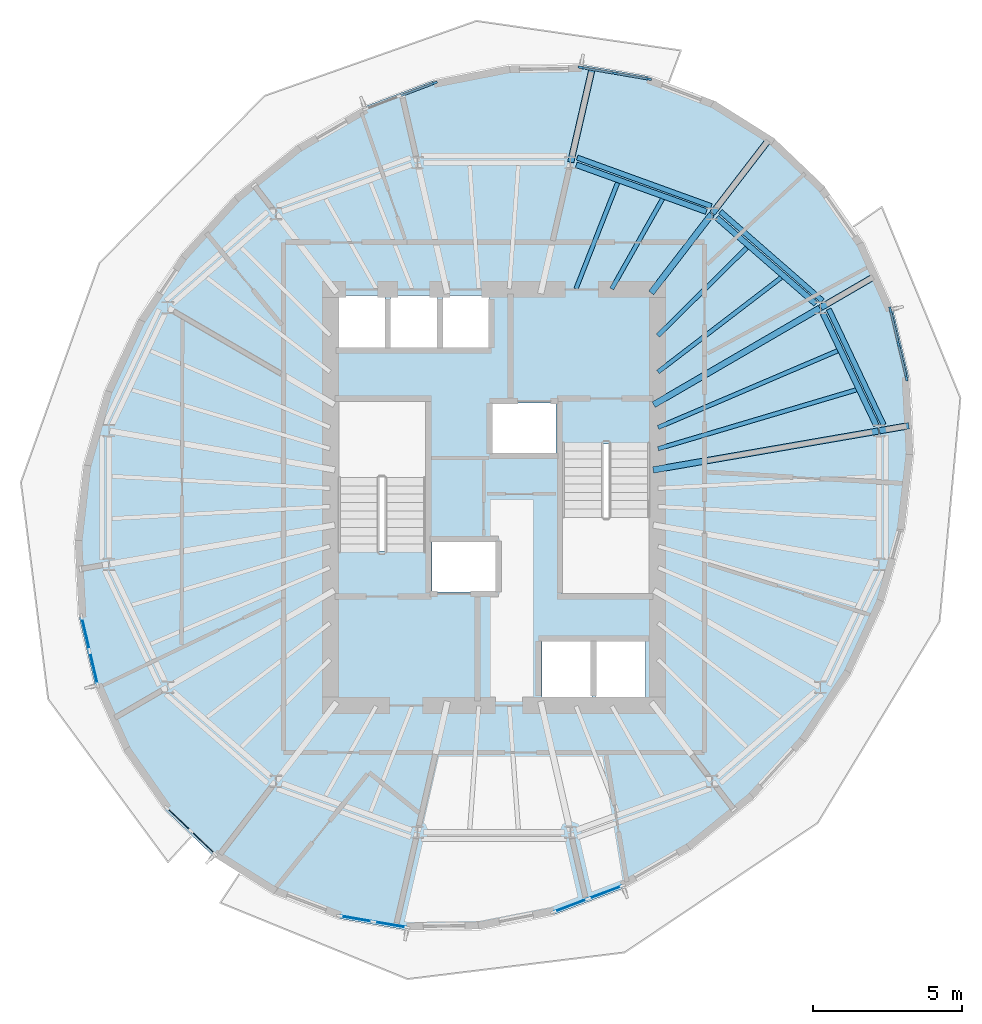
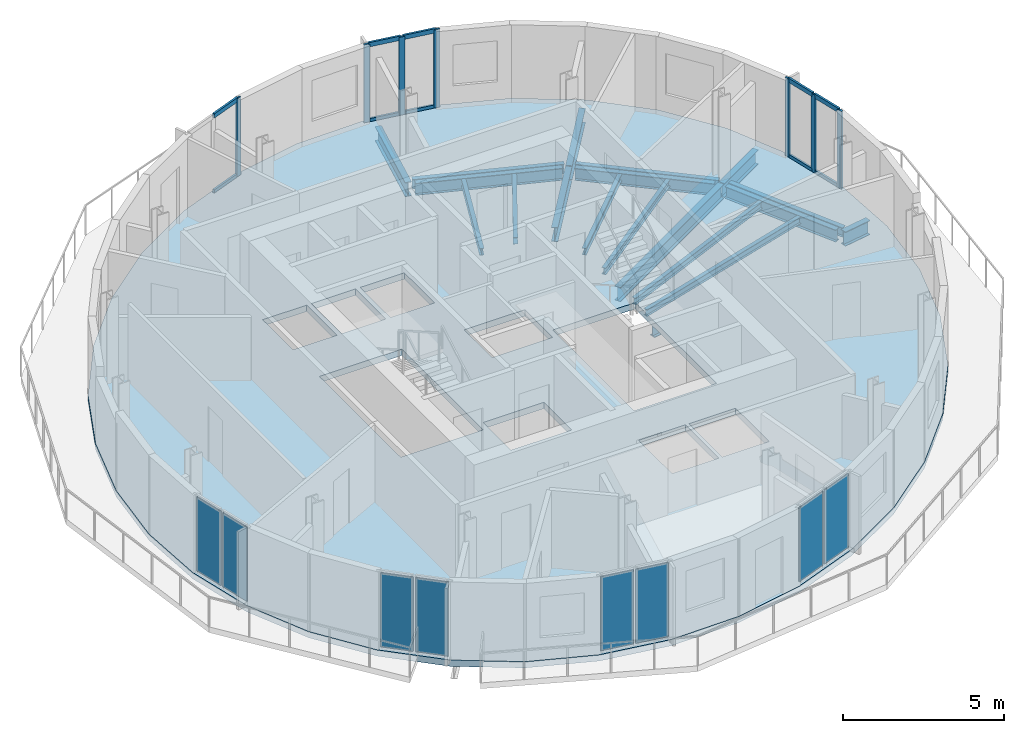
# One storey, part 3 of 11: 19 beams, 17 members, 8 plates, 1 slab, 7 elements without a shape of their own.
"""IFC4 building model written with IfcOpenShell, lengths in metres."""

from ifc_helpers import new_model, si_unit, direction, frame, origin, origin_2d, place, context, subcontext, project, spatial, polyline, rectangle, i_section, outline, extrude, material, layer, layer_set, material_profile, profile_set, type_object, element, aggregate, save


model = new_model("IFC4")

# Units and contexts
model_context = context("Model", 3, precision=1e-05, world=origin(), true_north=direction((0.0, 1.0)))
body_context = subcontext(model_context, "Body", "Model", "MODEL_VIEW")
ifc_project = project(units=[si_unit("LENGTHUNIT", "METRE"), si_unit("AREAUNIT", "SQUARE_METRE"), si_unit("VOLUMEUNIT", "CUBIC_METRE"), si_unit("PLANEANGLEUNIT", "RADIAN"), si_unit("MASSUNIT", "GRAM", prefix="KILO")], contexts=[model_context])

# Site, building, storey
site_placement = place(None, origin())
site = spatial("IfcSite", under=ifc_project, at=site_placement, CompositionType="ELEMENT")
building_placement = place(site_placement, origin())
building = spatial("IfcBuilding", under=site, at=building_placement, Name="Veldorim Arch Residences", CompositionType="ELEMENT")
storey_placement = place(building_placement, frame((0.0, 0.0, 207.840087890625)))
storey = spatial("IfcBuildingStorey", under=building, at=storey_placement, Name="L62", CompositionType="ELEMENT", Elevation=207.840087890625)

# Beams
ifc_material_1 = material(Name="Steel S355", Category="steel")
ifc_material_profile_1 = material_profile(ifc_material_1, i_section(OverallWidth=0.2119140625, OverallDepth=0.54443359375, WebThickness=0.0126953125, FlangeThickness=0.021240234375, at=origin_2d()), Name="UB533x210x122")
ifc_profile_set_1 = profile_set([ifc_material_profile_1], Name="Steel S355")
beam_type_1 = type_object("IfcBeamType", Name="Structural Steel Beam UB533x210x122", PredefinedType="BEAM", material=ifc_profile_set_1)
beam_1_placement = place(storey_placement, frame((37.352294921875, 24.92578125, -0.512451171875), z_axis=(0.985364974081, 0.170457818401, 0.0), x_axis=(-0.170457818401, 0.985364974081, 0.0)))
element("IfcBeam", 1, at=beam_1_placement, inside=storey, type_object=beam_type_1, Name="L62 radial floor girder 01", PredefinedType="BEAM", context=body_context, shape_type="SweptSolid", body=[
    extrude(i_section(OverallWidth=0.2119140625, OverallDepth=0.54443359375, WebThickness=0.0126953125, FlangeThickness=0.021240234375, at=origin_2d()), origin(), (0.0, 0.0, 1.0), 7.68701171875),
])
beam_2_placement = place(storey_placement, frame((44.966064453125, 26.242919921875, -0.512451171875), z_axis=(0.985359962619, 0.170486785611, 0.0), x_axis=(-0.170486785611, 0.985359962619, 0.0)))
element("IfcBeam", 2, at=beam_2_placement, inside=storey, type_object=beam_type_1, Name="L62 radial edge cantilever girder 01", PredefinedType="BEAM", context=body_context, shape_type="SweptSolid", body=[
    extrude(i_section(OverallWidth=0.2119140625, OverallDepth=0.54443359375, WebThickness=0.0126953125, FlangeThickness=0.021240234375, at=origin_2d()), origin(), (0.0, 0.0, 1.0), 1.0009765625),
])
beam_3_placement = place(storey_placement, frame((37.370361328125, 27.12060546875, -0.512451171875), z_axis=(0.864595736304, 0.502468121142, 0.0), x_axis=(-0.502468121142, 0.864595736304, 0.0)))
element("IfcBeam", 3, at=beam_3_placement, inside=storey, type_object=beam_type_1, Name="L62 radial floor girder 02", PredefinedType="BEAM", context=body_context, shape_type="SweptSolid", body=[
    extrude(i_section(OverallWidth=0.2119140625, OverallDepth=0.54443359375, WebThickness=0.0126953125, FlangeThickness=0.021240234375, at=origin_2d()), origin(), (0.0, 0.0, 1.0), 6.462646484375),
])
beam_4_placement = place(storey_placement, frame((42.99267578125, 30.387939453125, -0.512451171875), z_axis=(0.864627264139, 0.502413867351, 0.0), x_axis=(-0.502413867351, 0.864627264139, 0.0)))
element("IfcBeam", 4, at=beam_4_placement, inside=storey, type_object=beam_type_1, Name="L62 radial edge cantilever girder 02", PredefinedType="BEAM", context=body_context, shape_type="SweptSolid", body=[
    extrude(i_section(OverallWidth=0.2119140625, OverallDepth=0.54443359375, WebThickness=0.0126953125, FlangeThickness=0.021240234375, at=origin_2d()), origin(), (0.0, 0.0, 1.0), 2.11572265625),
])
beam_5_placement = place(storey_placement, frame((37.28662109375, 30.881103515625, -0.512451171875), z_axis=(0.609258442308, 0.792971721108, 0.0), x_axis=(-0.792971721108, 0.609258442308, 0.0)))
element("IfcBeam", 5, at=beam_5_placement, inside=storey, type_object=beam_type_1, Name="L62 radial floor girder 03", PredefinedType="BEAM", context=body_context, shape_type="SweptSolid", body=[
    extrude(i_section(OverallWidth=0.2119140625, OverallDepth=0.54443359375, WebThickness=0.0126953125, FlangeThickness=0.021240234375, at=origin_2d()), origin(), (0.0, 0.0, 1.0), 3.339599609375),
])
beam_6_placement = place(storey_placement, frame((39.345703125, 33.561279296875, -0.512451171875), z_axis=(0.609276560014, 0.792957800527, 0.0), x_axis=(-0.792957800527, 0.609276560014, 0.0)))
element("IfcBeam", 6, at=beam_6_placement, inside=storey, type_object=beam_type_1, Name="L62 radial edge cantilever girder 03", PredefinedType="BEAM", context=body_context, shape_type="SweptSolid", body=[
    extrude(i_section(OverallWidth=0.2119140625, OverallDepth=0.54443359375, WebThickness=0.0126953125, FlangeThickness=0.021240234375, at=origin_2d()), origin(), (0.0, 0.0, 1.0), 3.15283203125),
])
beam_7_placement = place(storey_placement, frame((34.57958984375, 35.27880859375, -0.512451171875), z_axis=(0.222999223543, 0.974818622257, 0.0), x_axis=(-0.974818622257, 0.222999223543, 0.0)))
element("IfcBeam", 7, at=beam_7_placement, inside=storey, type_object=beam_type_1, Name="L62 radial edge cantilever girder 04", PredefinedType="BEAM", context=body_context, shape_type="SweptSolid", body=[
    extrude(i_section(OverallWidth=0.2119140625, OverallDepth=0.54443359375, WebThickness=0.0126953125, FlangeThickness=0.021240234375, at=origin_2d()), origin(), (0.0, 0.0, 1.0), 3.1923828125),
])
ifc_material_2 = material(Name="Steel S355", Category="steel")
ifc_material_profile_2 = material_profile(ifc_material_2, i_section(OverallWidth=0.146484375, OverallDepth=0.256103515625, WebThickness=0.00634765625, FlangeThickness=0.010986328125, at=origin_2d()), Name="UB254x146x37")
ifc_profile_set_2 = profile_set([ifc_material_profile_2], Name="Steel S355")
beam_type_2 = type_object("IfcBeamType", Name="Structural Steel Joist UB254x146x37", PredefinedType="JOIST", material=ifc_profile_set_2)
beam_8_placement = place(storey_placement, frame((37.519287109375, 25.639404296875, -0.3681640625), z_axis=(0.958594432792, 0.284774846889, 0.0), x_axis=(-0.284774846889, 0.958594432792, 0.0)))
element("IfcBeam", 8, at=beam_8_placement, inside=storey, type_object=beam_type_2, Name="L62 secondary radial floor joist 01-1", PredefinedType="JOIST", context=body_context, shape_type="SweptSolid", body=[
    extrude(i_section(OverallWidth=0.146484375, OverallDepth=0.256103515625, WebThickness=0.00634765625, FlangeThickness=0.010986328125, at=origin_2d()), origin(), (0.0, 0.0, 1.0), 6.949462890625),
])
beam_9_placement = place(storey_placement, frame((37.518310546875, 26.355712890625, -0.3681640625), z_axis=(0.919725161652, 0.392562895629, 0.0), x_axis=(-0.392562895629, 0.919725161652, 0.0)))
element("IfcBeam", 9, at=beam_9_placement, inside=storey, type_object=beam_type_2, Name="L62 secondary radial floor joist 01-2", PredefinedType="JOIST", context=body_context, shape_type="SweptSolid", body=[
    extrude(i_section(OverallWidth=0.146484375, OverallDepth=0.256103515625, WebThickness=0.00634765625, FlangeThickness=0.010986328125, at=origin_2d()), origin(), (0.0, 0.0, 1.0), 6.5625),
])
beam_10_placement = place(storey_placement, frame((37.515869140625, 28.222900390625, -0.3681640625), z_axis=(0.794013672216, 0.607899899929, 0.0), x_axis=(-0.607899899929, 0.794013672216, 0.0)))
element("IfcBeam", 10, at=beam_10_placement, inside=storey, type_object=beam_type_2, Name="L62 secondary radial floor joist 02-1", PredefinedType="JOIST", context=body_context, shape_type="SweptSolid", body=[
    extrude(i_section(OverallWidth=0.146484375, OverallDepth=0.256103515625, WebThickness=0.00634765625, FlangeThickness=0.010986328125, at=origin_2d()), origin(), (0.0, 0.0, 1.0), 5.217041015625),
])
beam_11_placement = place(storey_placement, frame((37.51416015625, 29.44775390625, -0.3681640625), z_axis=(0.711396725432, 0.702790650937, 0.0), x_axis=(-0.702790650937, 0.711396725432, 0.0)))
element("IfcBeam", 11, at=beam_11_placement, inside=storey, type_object=beam_type_2, Name="L62 secondary radial floor joist 02-2", PredefinedType="JOIST", context=body_context, shape_type="SweptSolid", body=[
    extrude(i_section(OverallWidth=0.146484375, OverallDepth=0.256103515625, WebThickness=0.00634765625, FlangeThickness=0.010986328125, at=origin_2d()), origin(), (0.0, 0.0, 1.0), 4.198486328125),
])
beam_12_placement = place(storey_placement, frame((35.960205078125, 31.017333984375, -0.3681640625), z_axis=(0.491452469585, 0.870904397818, 0.0), x_axis=(-0.870904397818, 0.491452469585, 0.0)))
element("IfcBeam", 12, at=beam_12_placement, inside=storey, type_object=beam_type_2, Name="L62 secondary radial floor joist 03-1", PredefinedType="JOIST", context=body_context, shape_type="SweptSolid", body=[
    extrude(i_section(OverallWidth=0.146484375, OverallDepth=0.256103515625, WebThickness=0.00634765625, FlangeThickness=0.010986328125, at=origin_2d()), origin(), (0.0, 0.0, 1.0), 3.472412109375),
])
beam_13_placement = place(storey_placement, frame((34.75634765625, 31.0185546875, -0.3681640625), z_axis=(0.365581383042, 0.930779379001, 0.0), x_axis=(-0.930779379001, 0.365581383042, 0.0)))
element("IfcBeam", 13, at=beam_13_placement, inside=storey, type_object=beam_type_2, Name="L62 secondary radial floor joist 03-2", PredefinedType="JOIST", context=body_context, shape_type="SweptSolid", body=[
    extrude(i_section(OverallWidth=0.146484375, OverallDepth=0.256103515625, WebThickness=0.00634765625, FlangeThickness=0.010986328125, at=origin_2d()), origin(), (0.0, 0.0, 1.0), 3.83056640625),
])
ifc_material_3 = material(Name="Steel S355", Category="steel")
ifc_material_profile_3 = material_profile(ifc_material_3, i_section(OverallWidth=0.172119140625, OverallDepth=0.35791015625, WebThickness=0.008056640625, FlangeThickness=0.012939453125, at=origin_2d()), Name="UB356x171x57")
ifc_profile_set_3 = profile_set([ifc_material_profile_3], Name="Steel S355")
beam_type_3 = type_object("IfcBeamType", Name="Structural Steel Spandrel UB356x171x57", PredefinedType="SPANDREL", material=ifc_profile_set_3)
beam_14_placement = place(storey_placement, frame((45.106201171875, 26.4423828125, -0.439208984375), z_axis=(-0.428468601304, 0.903556670994, 0.0), x_axis=(-0.903556670994, -0.428468601304, 0.0)))
element("IfcBeam", 14, at=beam_14_placement, inside=storey, type_object=beam_type_3, Name="L62 perimeter chord spandrel beam 01", PredefinedType="SPANDREL", context=body_context, shape_type="SweptSolid", body=[
    extrude(i_section(OverallWidth=0.172119140625, OverallDepth=0.35791015625, WebThickness=0.008056640625, FlangeThickness=0.012939453125, at=origin_2d()), origin(), (0.0, 0.0, 1.0), 4.31005859375),
])
beam_15_placement = place(storey_placement, frame((43.048095703125, 30.6162109375, -0.439208984375), z_axis=(-0.752868439096, 0.658171036596, 0.0), x_axis=(-0.658171036596, -0.752868439096, 0.0)))
element("IfcBeam", 15, at=beam_15_placement, inside=storey, type_object=beam_type_3, Name="L62 perimeter chord spandrel beam 02", PredefinedType="SPANDREL", context=body_context, shape_type="SweptSolid", body=[
    extrude(i_section(OverallWidth=0.172119140625, OverallDepth=0.35791015625, WebThickness=0.008056640625, FlangeThickness=0.012939453125, at=origin_2d()), origin(), (0.0, 0.0, 1.0), 4.560791015625),
])
beam_16_placement = place(storey_placement, frame((39.311279296875, 33.796630859375, -0.439208984375), z_axis=(-0.940178823137, 0.340681347486, 0.0), x_axis=(-0.340681347486, -0.940178823137, 0.0)))
element("IfcBeam", 16, at=beam_16_placement, inside=storey, type_object=beam_type_3, Name="L62 perimeter chord spandrel beam 03", PredefinedType="SPANDREL", context=body_context, shape_type="SweptSolid", body=[
    extrude(i_section(OverallWidth=0.172119140625, OverallDepth=0.35791015625, WebThickness=0.008056640625, FlangeThickness=0.012939453125, at=origin_2d()), origin(), (0.0, 0.0, 1.0), 4.80126953125),
])
ifc_material_4 = material(Name="Steel S355", Category="steel")
ifc_material_profile_4 = material_profile(ifc_material_4, i_section(OverallWidth=0.19140625, OverallDepth=0.4599609375, WebThickness=0.010009765625, FlangeThickness=0.01611328125, at=origin_2d()), Name="UB457x191x82")
ifc_profile_set_4 = profile_set([ifc_material_profile_4], Name="Steel S355")
beam_type_4 = type_object("IfcBeamType", Name="Structural Steel Spandrel UB457x191x82", PredefinedType="SPANDREL", material=ifc_profile_set_4)
beam_17_placement = place(storey_placement, frame((44.85888671875, 26.42333984375, -0.469970703125), z_axis=(-0.429992574394, 0.902832424078, 0.0), x_axis=(-0.902832424078, -0.429992574394, 0.0)))
element("IfcBeam", 17, at=beam_17_placement, inside=storey, type_object=beam_type_4, Name="L62 perimeter ring tie beam 01", PredefinedType="SPANDREL", context=body_context, shape_type="SweptSolid", body=[
    extrude(i_section(OverallWidth=0.19140625, OverallDepth=0.4599609375, WebThickness=0.010009765625, FlangeThickness=0.01611328125, at=origin_2d()), origin(), (0.0, 0.0, 1.0), 4.176513671875),
])
beam_18_placement = place(storey_placement, frame((42.82177734375, 30.511474609375, -0.469970703125), z_axis=(-0.754534162517, 0.656260769508, 0.0), x_axis=(-0.656260769508, -0.754534162517, 0.0)))
element("IfcBeam", 18, at=beam_18_placement, inside=storey, type_object=beam_type_4, Name="L62 perimeter ring tie beam 02", PredefinedType="SPANDREL", context=body_context, shape_type="SweptSolid", body=[
    extrude(i_section(OverallWidth=0.19140625, OverallDepth=0.4599609375, WebThickness=0.010009765625, FlangeThickness=0.01611328125, at=origin_2d()), origin(), (0.0, 0.0, 1.0), 4.419677734375),
])
beam_19_placement = place(storey_placement, frame((39.14208984375, 33.6142578125, -0.469970703125), z_axis=(-0.940819134121, 0.338909068736, 0.0), x_axis=(-0.338909068736, -0.940819134121, 0.0)))
element("IfcBeam", 19, at=beam_19_placement, inside=storey, type_object=beam_type_4, Name="L62 perimeter ring tie beam 03", PredefinedType="SPANDREL", context=body_context, shape_type="SweptSolid", body=[
    extrude(i_section(OverallWidth=0.19140625, OverallDepth=0.4599609375, WebThickness=0.010009765625, FlangeThickness=0.01611328125, at=origin_2d()), origin(), (0.0, 0.0, 1.0), 4.650634765625),
])

# Curtain wall, members
ifc_material_5 = material(Name="Aluminium", Category="aluminium")
curtain_wall_type = type_object("IfcCurtainWallType", Name="Zone 4 High-Altitude Unitised Curtain Wall", PredefinedType="NOTDEFINED", material=ifc_material_5)
curtain_wall_1_placement = place(storey_placement, origin())
curtain_wall_1 = element("IfcCurtainWall", 20, at=curtain_wall_1_placement, inside=storey, type_object=curtain_wall_type, Name="L62 unitised curtain wall bay 03", PredefinedType="NOTDEFINED")
ifc_material_6 = material(Name="Aluminium", Category="aluminium")
ifc_material_profile_5 = material_profile(ifc_material_6, rectangle(XDim=0.074951171875, YDim=0.195068359375, at=origin_2d()), Name="ALU_MUL_75x195")
ifc_profile_set_5 = profile_set([ifc_material_profile_5], Name="Aluminium")
member_type_1 = type_object("IfcMemberType", Name="Zone 4 High-Altitude Unitised Curtain Wall Mullion 75x195", PredefinedType="MULLION", material=ifc_profile_set_5)
member_1_placement = place(storey_placement, frame((34.921630859375, 38.46435546875, 0.0), z_axis=(0.0, 0.0, 1.0), x_axis=(0.168730171812, 0.985662279445, 0.0)))
member_1 = element("IfcMember", 21, at=member_1_placement, type_object=member_type_1, Name="CW-Z4 mullion 1", PredefinedType="MULLION", context=body_context, shape_type="SweptSolid", body=[
    extrude(rectangle(XDim=0.074951171875, YDim=0.195068359375, at=origin_2d()), origin(), (0.0, 0.0, 1.0), 2.9599609375),
])
member_2_placement = place(storey_placement, frame((36.061279296875, 38.26904296875, 0.0), z_axis=(0.0, 0.0, 1.0), x_axis=(0.168730171812, 0.985662279445, 0.0)))
member_2 = element("IfcMember", 22, at=member_2_placement, type_object=member_type_1, Name="CW-Z4 mullion 2", PredefinedType="MULLION", context=body_context, shape_type="SweptSolid", body=[
    extrude(rectangle(XDim=0.074951171875, YDim=0.195068359375, at=origin_2d()), origin(), (0.0, 0.0, 1.0), 2.9599609375),
])
member_3_placement = place(storey_placement, frame((37.201171875, 38.073974609375, 0.0), z_axis=(0.0, 0.0, 1.0), x_axis=(0.168730171812, 0.985662279445, 0.0)))
member_3 = element("IfcMember", 23, at=member_3_placement, type_object=member_type_1, Name="CW-Z4 mullion 3", PredefinedType="MULLION", context=body_context, shape_type="SweptSolid", body=[
    extrude(rectangle(XDim=0.074951171875, YDim=0.195068359375, at=origin_2d()), origin(), (0.0, 0.0, 1.0), 2.9599609375),
])

# Curtain wall, member
curtain_wall_2_placement = place(storey_placement, origin())
curtain_wall_2 = element("IfcCurtainWall", 24, at=curtain_wall_2_placement, inside=storey, type_object=curtain_wall_type, Name="L62 unitised curtain wall bay 06", PredefinedType="NOTDEFINED")
member_4_placement = place(storey_placement, frame((29.999267578125, 37.941650390625, 0.0), z_axis=(0.0, 0.0, 1.0), x_axis=(-0.354241032275, 0.935154153631, 0.0)))
member_4 = element("IfcMember", 25, at=member_4_placement, type_object=member_type_1, Name="CW-Z4 mullion 3", PredefinedType="MULLION", context=body_context, shape_type="SweptSolid", body=[
    extrude(rectangle(XDim=0.074951171875, YDim=0.195068359375, at=origin_2d()), origin(), (0.0, 0.0, 1.0), 2.9599609375),
])

# Curtain wall, members
curtain_wall_3_placement = place(storey_placement, origin())
curtain_wall_3 = element("IfcCurtainWall", 26, at=curtain_wall_3_placement, inside=storey, type_object=curtain_wall_type, Name="L62 unitised curtain wall bay 33", PredefinedType="NOTDEFINED")
member_5_placement = place(storey_placement, frame((45.32861328125, 30.31640625, 0.0), z_axis=(0.0, 0.0, 1.0), x_axis=(0.973448307703, 0.228906951032, 0.0)))
member_5 = element("IfcMember", 27, at=member_5_placement, type_object=member_type_1, Name="CW-Z4 mullion 1", PredefinedType="MULLION", context=body_context, shape_type="SweptSolid", body=[
    extrude(rectangle(XDim=0.074951171875, YDim=0.195068359375, at=origin_2d()), origin(), (0.0, 0.0, 1.0), 2.9599609375),
])
member_6_placement = place(storey_placement, frame((45.599609375, 29.164306640625, 0.0), z_axis=(0.0, 0.0, 1.0), x_axis=(0.973448307703, 0.228906951032, 0.0)))
member_6 = element("IfcMember", 28, at=member_6_placement, type_object=member_type_1, Name="CW-Z4 mullion 2", PredefinedType="MULLION", context=body_context, shape_type="SweptSolid", body=[
    extrude(rectangle(XDim=0.074951171875, YDim=0.195068359375, at=origin_2d()), origin(), (0.0, 0.0, 1.0), 2.9599609375),
])
member_7_placement = place(storey_placement, frame((45.870361328125, 28.01220703125, 0.0), z_axis=(0.0, 0.0, 1.0), x_axis=(0.973448307703, 0.228906951032, 0.0)))
member_7 = element("IfcMember", 29, at=member_7_placement, type_object=member_type_1, Name="CW-Z4 mullion 3", PredefinedType="MULLION", context=body_context, shape_type="SweptSolid", body=[
    extrude(rectangle(XDim=0.074951171875, YDim=0.195068359375, at=origin_2d()), origin(), (0.0, 0.0, 1.0), 2.9599609375),
])

# Member
ifc_material_7 = material(Name="Aluminium", Category="aluminium")
ifc_material_profile_6 = material_profile(ifc_material_7, rectangle(XDim=0.074951171875, YDim=0.1650390625, at=origin_2d()), Name="ALU_TRN_75x165")
ifc_profile_set_6 = profile_set([ifc_material_profile_6], Name="Aluminium")
member_type_2 = type_object("IfcMemberType", Name="Zone 4 High-Altitude Unitised Curtain Wall Transom 75x165", PredefinedType="USERDEFINED", material=ifc_profile_set_6)
member_8_placement = place(storey_placement, frame((34.95849609375, 38.4580078125, 0.037353515625), z_axis=(0.985639436335, -0.168863558951, 0.0), x_axis=(0.168863558951, 0.985639436335, 0.0)))
member_8 = element("IfcMember", 30, at=member_8_placement, type_object=member_type_2, Name="CW-Z4 transom 1.1", ObjectType="TRANSOM", PredefinedType="USERDEFINED", context=body_context, shape_type="SweptSolid", body=[
    extrude(rectangle(XDim=0.074951171875, YDim=0.1650390625, at=origin_2d()), origin(), (0.0, 0.0, 1.0), 1.08154296875),
])

member_9_placement = place(storey_placement, frame((34.95849609375, 38.4580078125, 2.92236328125), z_axis=(0.985639436335, -0.168863558951, 0.0), x_axis=(0.168863558951, 0.985639436335, 0.0)))
member_9 = element("IfcMember", 31, at=member_9_placement, type_object=member_type_2, Name="CW-Z4 transom 1.2", ObjectType="TRANSOM", PredefinedType="USERDEFINED", context=body_context, shape_type="SweptSolid", body=[
    extrude(rectangle(XDim=0.074951171875, YDim=0.1650390625, at=origin_2d()), origin(), (0.0, 0.0, 1.0), 1.08154296875),
])

member_10_placement = place(storey_placement, frame((36.098388671875, 38.262939453125, 0.037353515625), z_axis=(0.985639436335, -0.168863558951, 0.0), x_axis=(0.168863558951, 0.985639436335, 0.0)))
member_10 = element("IfcMember", 32, at=member_10_placement, type_object=member_type_2, Name="CW-Z4 transom 2.1", ObjectType="TRANSOM", PredefinedType="USERDEFINED", context=body_context, shape_type="SweptSolid", body=[
    extrude(rectangle(XDim=0.074951171875, YDim=0.1650390625, at=origin_2d()), origin(), (0.0, 0.0, 1.0), 1.08154296875),
])

member_11_placement = place(storey_placement, frame((36.098388671875, 38.262939453125, 2.92236328125), z_axis=(0.985639436335, -0.168863558951, 0.0), x_axis=(0.168863558951, 0.985639436335, 0.0)))
member_11 = element("IfcMember", 33, at=member_11_placement, type_object=member_type_2, Name="CW-Z4 transom 2.2", ObjectType="TRANSOM", PredefinedType="USERDEFINED", context=body_context, shape_type="SweptSolid", body=[
    extrude(rectangle(XDim=0.074951171875, YDim=0.1650390625, at=origin_2d()), origin(), (0.0, 0.0, 1.0), 1.08154296875),
])

aggregate(curtain_wall_1, [member_1, member_2, member_3, member_8, member_9, member_10, member_11])

member_12_placement = place(storey_placement, frame((28.8720703125, 37.5146484375, 0.037353515625), z_axis=(0.935138462301, 0.354282452749, 0.0), x_axis=(-0.354282452749, 0.935138462301, 0.0)))
member_12 = element("IfcMember", 34, at=member_12_placement, type_object=member_type_2, Name="CW-Z4 transom 2.1", ObjectType="TRANSOM", PredefinedType="USERDEFINED", context=body_context, shape_type="SweptSolid", body=[
    extrude(rectangle(XDim=0.074951171875, YDim=0.1650390625, at=origin_2d()), origin(), (0.0, 0.0, 1.0), 1.16796875),
])

member_13_placement = place(storey_placement, frame((28.8720703125, 37.5146484375, 2.92236328125), z_axis=(0.935138462301, 0.354282452749, 0.0), x_axis=(-0.354282452749, 0.935138462301, 0.0)))
member_13 = element("IfcMember", 35, at=member_13_placement, type_object=member_type_2, Name="CW-Z4 transom 2.2", ObjectType="TRANSOM", PredefinedType="USERDEFINED", context=body_context, shape_type="SweptSolid", body=[
    extrude(rectangle(XDim=0.074951171875, YDim=0.1650390625, at=origin_2d()), origin(), (0.0, 0.0, 1.0), 1.16796875),
])

aggregate(curtain_wall_2, [member_4, member_12, member_13])

member_14_placement = place(storey_placement, frame((45.337158203125, 30.27978515625, 0.037353515625), z_axis=(0.228830640868, -0.973466248927, 0.0), x_axis=(0.973466248927, 0.228830640868, 0.0)))
member_14 = element("IfcMember", 36, at=member_14_placement, type_object=member_type_2, Name="CW-Z4 transom 1.1", ObjectType="TRANSOM", PredefinedType="USERDEFINED", context=body_context, shape_type="SweptSolid", body=[
    extrude(rectangle(XDim=0.074951171875, YDim=0.1650390625, at=origin_2d()), origin(), (0.0, 0.0, 1.0), 1.1083984375),
])

member_15_placement = place(storey_placement, frame((45.337158203125, 30.27978515625, 2.92236328125), z_axis=(0.228830640868, -0.973466248927, 0.0), x_axis=(0.973466248927, 0.228830640868, 0.0)))
member_15 = element("IfcMember", 37, at=member_15_placement, type_object=member_type_2, Name="CW-Z4 transom 1.2", ObjectType="TRANSOM", PredefinedType="USERDEFINED", context=body_context, shape_type="SweptSolid", body=[
    extrude(rectangle(XDim=0.074951171875, YDim=0.1650390625, at=origin_2d()), origin(), (0.0, 0.0, 1.0), 1.1083984375),
])

member_16_placement = place(storey_placement, frame((45.608154296875, 29.127685546875, 0.037353515625), z_axis=(0.228830640868, -0.973466248927, 0.0), x_axis=(0.973466248927, 0.228830640868, 0.0)))
member_16 = element("IfcMember", 38, at=member_16_placement, type_object=member_type_2, Name="CW-Z4 transom 2.1", ObjectType="TRANSOM", PredefinedType="USERDEFINED", context=body_context, shape_type="SweptSolid", body=[
    extrude(rectangle(XDim=0.074951171875, YDim=0.1650390625, at=origin_2d()), origin(), (0.0, 0.0, 1.0), 1.1083984375),
])

member_17_placement = place(storey_placement, frame((45.608154296875, 29.127685546875, 2.92236328125), z_axis=(0.228830640868, -0.973466248927, 0.0), x_axis=(0.973466248927, 0.228830640868, 0.0)))
member_17 = element("IfcMember", 39, at=member_17_placement, type_object=member_type_2, Name="CW-Z4 transom 2.2", ObjectType="TRANSOM", PredefinedType="USERDEFINED", context=body_context, shape_type="SweptSolid", body=[
    extrude(rectangle(XDim=0.074951171875, YDim=0.1650390625, at=origin_2d()), origin(), (0.0, 0.0, 1.0), 1.1083984375),
])

aggregate(curtain_wall_3, [member_5, member_6, member_7, member_14, member_15, member_16, member_17])

# Slab
ifc_material_8 = material(Name="Concrete C40/50", Category="concrete")
ifc_layer_1 = layer(ifc_material_8, 0.239990234375, Name="Typical Residential Floor Slab 240")
ifc_layer_set_1 = layer_set([ifc_layer_1], Name="Concrete C40/50")
slab_type = type_object("IfcSlabType", Name="Typical Residential Floor Slab 240", PredefinedType="FLOOR", material=ifc_layer_set_1)
slab_placement = place(storey_placement, frame((0.0, 0.0, -0.239990234375)))
element("IfcSlab", 40, at=slab_placement, inside=storey, type_object=slab_type, Name="L62 tower structural floor slab", PredefinedType="FLOOR", context=body_context, shape_type="SweptSolid", body=[
    extrude(outline(polyline([(41.4150390625, 36.08544921875), (39.447509765625, 37.323486328125), (37.25341796875, 38.156494140625), (34.89990234375, 38.559326171875), (32.4580078125, 38.519775390625), (30.00244140625, 38.039306640625), (27.607666015625, 37.132080078125), (25.34619140625, 35.82568359375), (23.286865234375, 34.16015625), (21.4921875, 32.185791015625), (20.01708984375, 29.962890625), (18.90576171875, 27.558837890625), (18.1923828125, 25.04638671875), (17.898681640625, 22.50244140625), (18.033447265625, 20.00390625), (18.59228515625, 17.626708984375), (19.558837890625, 15.443115234375), (20.9033203125, 13.51953125), (22.5849609375, 11.91455078125), (24.552490234375, 10.676513671875), (26.74658203125, 9.843505859375), (29.10009765625, 9.440673828125), (31.5419921875, 9.480224609375), (33.99755859375, 9.960693359375), (36.392333984375, 10.867919921875), (38.65380859375, 12.17431640625), (40.713134765625, 13.83984375), (42.5078125, 15.814208984375), (43.98291015625, 18.037109375), (45.09423828125, 20.441162109375), (45.8076171875, 22.95361328125), (46.101318359375, 25.49755859375), (45.966552734375, 27.99609375), (45.40771484375, 30.373291015625), (44.441162109375, 32.556884765625), (43.0966796875, 34.48046875), (41.4150390625, 36.08544921875)]), holes=[polyline([(33.610107421875, 17.2099609375), (33.610107421875, 19.2900390625), (35.2900390625, 19.2900390625), (35.2900390625, 17.2099609375), (33.610107421875, 17.2099609375)]), polyline([(35.409912109375, 17.2099609375), (35.409912109375, 19.2900390625), (37.090087890625, 19.2900390625), (37.090087890625, 17.2099609375), (35.409912109375, 17.2099609375)]), polyline([(29.909912109375, 20.81494140625), (29.909912109375, 22.544921875), (32.090087890625, 22.544921875), (32.090087890625, 20.81494140625), (29.909912109375, 20.81494140625)]), polyline([(34.2900390625, 20.75), (34.2900390625, 25.804931640625), (37.25, 25.804931640625), (37.25, 20.75), (34.2900390625, 20.75)]), polyline([(26.75, 22.195068359375), (26.75, 27.25), (29.7099609375, 27.25), (29.7099609375, 22.195068359375), (26.75, 22.195068359375)]), polyline([(31.909912109375, 25.455078125), (31.909912109375, 27.18505859375), (34.090087890625, 27.18505859375), (34.090087890625, 25.455078125), (31.909912109375, 25.455078125)]), polyline([(26.760009765625, 28.909912109375), (26.760009765625, 30.7900390625), (28.340087890625, 30.7900390625), (28.340087890625, 28.909912109375), (26.760009765625, 28.909912109375)]), polyline([(28.510009765625, 30.7900390625), (30.090087890625, 30.7900390625), (30.090087890625, 28.909912109375), (28.510009765625, 28.909912109375), (28.510009765625, 30.7900390625)]), polyline([(30.260009765625, 30.7900390625), (31.840087890625, 30.7900390625), (31.840087890625, 28.909912109375), (30.260009765625, 28.909912109375), (30.260009765625, 30.7900390625)])]), origin(), (0.0, 0.0, 1.0), 0.239990234375),
])

# Curtain wall, plates
curtain_wall_4_placement = place(storey_placement, origin())
curtain_wall_4 = element("IfcCurtainWall", 41, at=curtain_wall_4_placement, inside=storey, type_object=curtain_wall_type, Name="L62 unitised curtain wall bay 15", PredefinedType="NOTDEFINED")
ifc_material_9 = material(Name="Laminated Low-E Glass", Category="glass")
ifc_layer_2 = layer(ifc_material_9, 0.030029296875, Name="Zone 4 High-Altitude Unitised Curtain Wall Glazing Panel 30")
ifc_layer_set_2 = layer_set([ifc_layer_2], Name="Laminated Low-E Glass")
plate_type = type_object("IfcPlateType", Name="Zone 4 High-Altitude Unitised Curtain Wall Glazing Panel 30", PredefinedType="CURTAIN_PANEL", material=ifc_layer_set_2)
plate_1_placement = place(storey_placement, frame((18.535888671875, 18.259765625, 0.074951171875), z_axis=(0.0, 0.0, 1.0), x_axis=(-0.228906951032, 0.973448307703, 0.0)))
plate_1 = element("IfcPlate", 42, at=plate_1_placement, type_object=plate_type, Name="CW-Z4 panel 1.1", PredefinedType="CURTAIN_PANEL", context=body_context, shape_type="SweptSolid", body=[
    extrude(rectangle(XDim=1.1083984375, YDim=0.030029296875, at=origin_2d()), origin(), (0.0, 0.0, 1.0), 2.81005859375),
])
plate_2_placement = place(storey_placement, frame((18.26513671875, 19.411865234375, 0.074951171875), z_axis=(0.0, 0.0, 1.0), x_axis=(-0.228906951032, 0.973448307703, 0.0)))
plate_2 = element("IfcPlate", 43, at=plate_2_placement, type_object=plate_type, Name="CW-Z4 panel 2.1", PredefinedType="CURTAIN_PANEL", context=body_context, shape_type="SweptSolid", body=[
    extrude(rectangle(XDim=1.1083984375, YDim=0.030029296875, at=origin_2d()), origin(), (0.0, 0.0, 1.0), 2.81005859375),
])
aggregate(curtain_wall_4, [plate_1, plate_2])

curtain_wall_5_placement = place(storey_placement, origin())
curtain_wall_5 = element("IfcCurtainWall", 44, at=curtain_wall_5_placement, inside=storey, type_object=curtain_wall_type, Name="L62 unitised curtain wall bay 18", PredefinedType="NOTDEFINED")
plate_3_placement = place(storey_placement, frame((22.213134765625, 12.393798828125, 0.074951171875), z_axis=(0.0, 0.0, 1.0), x_axis=(-0.723369216346, 0.690461423139, 0.0)))
plate_3 = element("IfcPlate", 45, at=plate_3_placement, type_object=plate_type, Name="CW-Z4 panel 1.1", PredefinedType="CURTAIN_PANEL", context=body_context, shape_type="SweptSolid", body=[
    extrude(rectangle(XDim=1.0498046875, YDim=0.030029296875, at=origin_2d()), origin(), (0.0, 0.0, 1.0), 2.81005859375),
])
plate_4_placement = place(storey_placement, frame((21.3994140625, 13.17041015625, 0.074951171875), z_axis=(0.0, 0.0, 1.0), x_axis=(-0.723369216346, 0.690461423139, 0.0)))
plate_4 = element("IfcPlate", 46, at=plate_4_placement, type_object=plate_type, Name="CW-Z4 panel 2.1", PredefinedType="CURTAIN_PANEL", context=body_context, shape_type="SweptSolid", body=[
    extrude(rectangle(XDim=1.0498046875, YDim=0.030029296875, at=origin_2d()), origin(), (0.0, 0.0, 1.0), 2.81005859375),
])
aggregate(curtain_wall_5, [plate_3, plate_4])

curtain_wall_6_placement = place(storey_placement, origin())
curtain_wall_6 = element("IfcCurtainWall", 47, at=curtain_wall_6_placement, inside=storey, type_object=curtain_wall_type, Name="L62 unitised curtain wall bay 21", PredefinedType="NOTDEFINED")
plate_5_placement = place(storey_placement, frame((28.508544921875, 9.63330078125, 0.074951171875), z_axis=(0.0, 0.0, 1.0), x_axis=(-0.985662279445, 0.168730171812, 0.0)))
plate_5 = element("IfcPlate", 48, at=plate_5_placement, type_object=plate_type, Name="CW-Z4 panel 1.1", PredefinedType="CURTAIN_PANEL", context=body_context, shape_type="SweptSolid", body=[
    extrude(rectangle(XDim=1.081298828125, YDim=0.030029296875, at=origin_2d()), origin(), (0.0, 0.0, 1.0), 2.81005859375),
])
plate_6_placement = place(storey_placement, frame((27.36865234375, 9.828369140625, 0.074951171875), z_axis=(0.0, 0.0, 1.0), x_axis=(-0.985662279445, 0.168730171812, 0.0)))
plate_6 = element("IfcPlate", 49, at=plate_6_placement, type_object=plate_type, Name="CW-Z4 panel 2.1", PredefinedType="CURTAIN_PANEL", context=body_context, shape_type="SweptSolid", body=[
    extrude(rectangle(XDim=1.081298828125, YDim=0.030029296875, at=origin_2d()), origin(), (0.0, 0.0, 1.0), 2.81005859375),
])
aggregate(curtain_wall_6, [plate_5, plate_6])

curtain_wall_7_placement = place(storey_placement, origin())
curtain_wall_7 = element("IfcCurtainWall", 50, at=curtain_wall_7_placement, inside=storey, type_object=curtain_wall_type, Name="L62 unitised curtain wall bay 24", PredefinedType="NOTDEFINED")
plate_7_placement = place(storey_placement, frame((35.744140625, 10.71875, 0.074951171875), z_axis=(0.0, 0.0, 1.0), x_axis=(-0.935154153631, -0.354241032275, 0.0)))
plate_7 = element("IfcPlate", 51, at=plate_7_placement, type_object=plate_type, Name="CW-Z4 panel 1.1", PredefinedType="CURTAIN_PANEL", context=body_context, shape_type="SweptSolid", body=[
    extrude(rectangle(XDim=1.16796875, YDim=0.030029296875, at=origin_2d()), origin(), (0.0, 0.0, 1.0), 2.81005859375),
])
plate_8_placement = place(storey_placement, frame((34.581787109375, 10.2783203125, 0.074951171875), z_axis=(0.0, 0.0, 1.0), x_axis=(-0.935154153631, -0.354241032275, 0.0)))
plate_8 = element("IfcPlate", 52, at=plate_8_placement, type_object=plate_type, Name="CW-Z4 panel 2.1", PredefinedType="CURTAIN_PANEL", context=body_context, shape_type="SweptSolid", body=[
    extrude(rectangle(XDim=1.16796875, YDim=0.030029296875, at=origin_2d()), origin(), (0.0, 0.0, 1.0), 2.81005859375),
])
aggregate(curtain_wall_7, [plate_7, plate_8])

save(model, "model.ifc")
